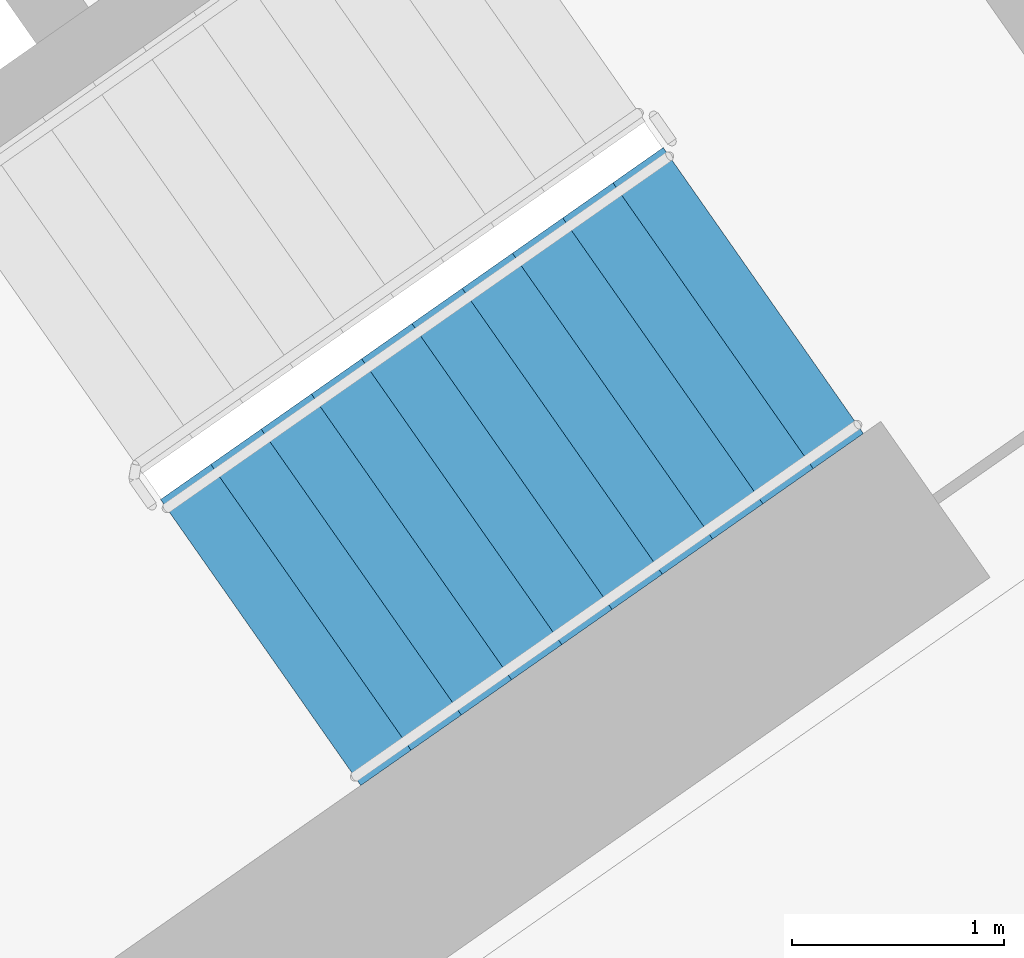
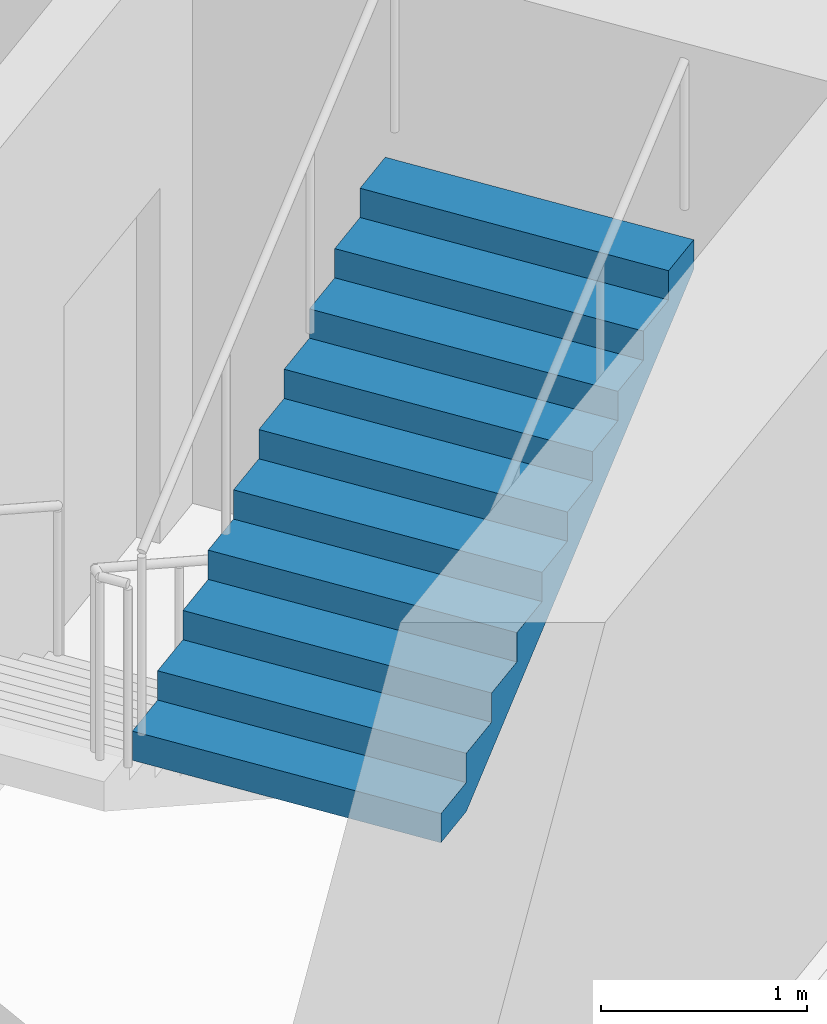
# One storey, part 16 of 30: 1 stair flight, 1 element without a shape of its own.
"""IFC4 building model written with IfcOpenShell, lengths in metres."""

from ifc_helpers import new_model, si_unit, direction, frame, origin, place, context, subcontext, project, spatial, faceted_brep, material, type_object, element, aggregate, save


model = new_model("IFC4")

# Units and contexts
model_context = context("Model", 3, precision=1e-05, world=origin(), true_north=direction((0.0, 1.0)))
body_context = subcontext(model_context, "Body", "Model", "MODEL_VIEW")
ifc_project = project(units=[si_unit("LENGTHUNIT", "METRE"), si_unit("AREAUNIT", "SQUARE_METRE"), si_unit("VOLUMEUNIT", "CUBIC_METRE"), si_unit("PLANEANGLEUNIT", "RADIAN"), si_unit("MASSUNIT", "GRAM", prefix="KILO")], contexts=[model_context])

# Site, building, storey
site_placement = place(None, origin())
site = spatial("IfcSite", under=ifc_project, at=site_placement, CompositionType="ELEMENT")
building_placement = place(site_placement, origin())
building = spatial("IfcBuilding", under=site, at=building_placement, Name="Qamariyya Broadcast Tower", CompositionType="ELEMENT")
storey_placement = place(building_placement, frame((0.0, 0.0, 110.10009765625)))
storey = spatial("IfcBuildingStorey", under=building, at=storey_placement, Name="L24", CompositionType="ELEMENT", Elevation=110.10009765625)

# Stair, stair flight
ifc_material = material(Name="Concrete C50/60", Category="concrete")
stair_type = type_object("IfcStairType", Name="Exit stair 22 risers of 173 mm", PredefinedType="HALF_TURN_STAIR", material=ifc_material)
stair_placement = place(storey_placement, origin())
stair = element("IfcStair", 1, at=stair_placement, inside=storey, type_object=stair_type, Name="L24 Stair E1", PredefinedType="HALF_TURN_STAIR")
stair_flight_type = type_object("IfcStairFlightType", Name="Exit stair flight 11 risers of 173 mm", PredefinedType="STRAIGHT", material=ifc_material)
stair_flight_placement = place(storey_placement, frame((44.693359375, -58.64599609375, 1.89990234375), z_axis=(0.0, 0.0, 1.0), x_axis=(0.819152044289, 0.573576436351, 0.0)))
stair_flight = element("IfcStairFlight", 2, at=stair_flight_placement, type_object=stair_flight_type, Name="ST-E1 flight 2", NumberOfRisers=11, NumberOfTreads=10, PredefinedType="STRAIGHT", RiserHeight=0.172727273, TreadLength=0.29, context=body_context, shape_type="Brep", body=[
    faceted_brep([(0.0, 0.824951171875, 0.0), (0.0, 0.824951171875, 0.172607421875), (0.2900390625, 0.824951171875, 0.172607421875), (0.2900390625, 0.824951171875, 0.345458984375), (0.580078125, 0.824951171875, 0.345458984375), (0.580078125, 0.824951171875, 0.51806640625), (0.8701171875, 0.824951171875, 0.51806640625), (0.8701171875, 0.824951171875, 0.69091796875), (1.159912109375, 0.824951171875, 0.69091796875), (1.159912109375, 0.824951171875, 0.863525390625), (1.449951171875, 0.824951171875, 0.863525390625), (1.449951171875, 0.824951171875, 1.036376953125), (1.739990234375, 0.824951171875, 1.036376953125), (1.739990234375, 0.824951171875, 1.208984375), (2.030029296875, 0.824951171875, 1.208984375), (2.030029296875, 0.824951171875, 1.3818359375), (2.320068359375, 0.824951171875, 1.3818359375), (2.320068359375, 0.824951171875, 1.554443359375), (2.610107421875, 0.824951171875, 1.554443359375), (2.610107421875, 0.824951171875, 1.727294921875), (2.89990234375, 0.824951171875, 1.727294921875), (2.89990234375, 0.824951171875, 1.552734375), (0.29296875, 0.824951171875, 0.0), (0.29296875, -0.824951171875, 0.0), (2.89990234375, -0.824951171875, 1.552734375), (2.89990234375, -0.824951171875, 1.727294921875), (2.610107421875, -0.824951171875, 1.727294921875), (2.610107421875, -0.824951171875, 1.554443359375), (2.320068359375, -0.824951171875, 1.554443359375), (2.320068359375, -0.824951171875, 1.3818359375), (2.030029296875, -0.824951171875, 1.3818359375), (2.030029296875, -0.824951171875, 1.208984375), (1.739990234375, -0.824951171875, 1.208984375), (1.739990234375, -0.824951171875, 1.036376953125), (1.449951171875, -0.824951171875, 1.036376953125), (1.449951171875, -0.824951171875, 0.863525390625), (1.159912109375, -0.824951171875, 0.863525390625), (1.159912109375, -0.824951171875, 0.69091796875), (0.8701171875, -0.824951171875, 0.69091796875), (0.8701171875, -0.824951171875, 0.51806640625), (0.580078125, -0.824951171875, 0.51806640625), (0.580078125, -0.824951171875, 0.345458984375), (0.2900390625, -0.824951171875, 0.345458984375), (0.2900390625, -0.824951171875, 0.172607421875), (0.0, -0.824951171875, 0.172607421875), (0.0, -0.824951171875, 0.0), (0.0, 0.10009765625, 0.0), (0.0, 0.086669921875, 0.0), (0.0, 0.0732421875, 0.0), (0.0, 0.06005859375, 0.0), (0.0, 0.046630859375, 0.0), (0.0, 0.033447265625, 0.0), (0.0, 0.02001953125, 0.0), (0.0, 0.006591796875, 0.0), (0.0, -0.006591796875, 0.0), (0.0, -0.02001953125, 0.0), (0.0, -0.033447265625, 0.0), (0.0, -0.046630859375, 0.0), (0.0, -0.06005859375, 0.0), (0.0, -0.0732421875, 0.0), (0.0, -0.086669921875, 0.0), (0.0, -0.10009765625, 0.0), (0.0, -0.10009765625, 0.172607421875), (0.0, -0.086669921875, 0.172607421875), (0.0, -0.0732421875, 0.172607421875), (0.0, -0.06005859375, 0.172607421875), (0.0, -0.046630859375, 0.172607421875), (0.0, -0.033447265625, 0.172607421875), (0.0, -0.02001953125, 0.172607421875), (0.0, -0.006591796875, 0.172607421875), (0.0, 0.006591796875, 0.172607421875), (0.0, 0.02001953125, 0.172607421875), (0.0, 0.033447265625, 0.172607421875), (0.0, 0.046630859375, 0.172607421875), (0.0, 0.06005859375, 0.172607421875), (0.0, 0.0732421875, 0.172607421875), (0.0, 0.086669921875, 0.172607421875), (0.0, 0.10009765625, 0.172607421875), (0.2900390625, -0.10009765625, 0.172607421875), (0.2900390625, -0.086669921875, 0.172607421875), (0.2900390625, -0.0732421875, 0.172607421875), (0.2900390625, -0.06005859375, 0.172607421875), (0.2900390625, -0.046630859375, 0.172607421875), (0.2900390625, -0.033447265625, 0.172607421875), (0.2900390625, -0.02001953125, 0.172607421875), (0.2900390625, -0.006591796875, 0.172607421875), (0.2900390625, 0.006591796875, 0.172607421875), (0.2900390625, 0.02001953125, 0.172607421875), (0.2900390625, 0.033447265625, 0.172607421875), (0.2900390625, 0.046630859375, 0.172607421875), (0.2900390625, 0.06005859375, 0.172607421875), (0.2900390625, 0.0732421875, 0.172607421875), (0.2900390625, 0.086669921875, 0.172607421875), (0.2900390625, 0.10009765625, 0.172607421875), (0.2900390625, -0.10009765625, 0.345458984375), (0.2900390625, -0.086669921875, 0.345458984375), (0.2900390625, -0.0732421875, 0.345458984375), (0.2900390625, -0.06005859375, 0.345458984375), (0.2900390625, -0.046630859375, 0.345458984375), (0.2900390625, -0.033447265625, 0.345458984375), (0.2900390625, -0.02001953125, 0.345458984375), (0.2900390625, -0.006591796875, 0.345458984375), (0.2900390625, 0.006591796875, 0.345458984375), (0.2900390625, 0.02001953125, 0.345458984375), (0.2900390625, 0.033447265625, 0.345458984375), (0.2900390625, 0.046630859375, 0.345458984375), (0.2900390625, 0.06005859375, 0.345458984375), (0.2900390625, 0.0732421875, 0.345458984375), (0.2900390625, 0.086669921875, 0.345458984375), (0.2900390625, 0.10009765625, 0.345458984375), (0.580078125, -0.10009765625, 0.345458984375), (0.580078125, -0.086669921875, 0.345458984375), (0.580078125, -0.0732421875, 0.345458984375), (0.580078125, -0.06005859375, 0.345458984375), (0.580078125, -0.046630859375, 0.345458984375), (0.580078125, -0.033447265625, 0.345458984375), (0.580078125, -0.02001953125, 0.345458984375), (0.580078125, -0.006591796875, 0.345458984375), (0.580078125, 0.006591796875, 0.345458984375), (0.580078125, 0.02001953125, 0.345458984375), (0.580078125, 0.033447265625, 0.345458984375), (0.580078125, 0.046630859375, 0.345458984375), (0.580078125, 0.06005859375, 0.345458984375), (0.580078125, 0.0732421875, 0.345458984375), (0.580078125, 0.086669921875, 0.345458984375), (0.580078125, 0.10009765625, 0.345458984375), (0.580078125, -0.10009765625, 0.51806640625), (0.580078125, -0.086669921875, 0.51806640625), (0.580078125, -0.0732421875, 0.51806640625), (0.580078125, -0.06005859375, 0.51806640625), (0.580078125, -0.046630859375, 0.51806640625), (0.580078125, -0.033447265625, 0.51806640625), (0.580078125, -0.02001953125, 0.51806640625), (0.580078125, -0.006591796875, 0.51806640625), (0.580078125, 0.006591796875, 0.51806640625), (0.580078125, 0.02001953125, 0.51806640625), (0.580078125, 0.033447265625, 0.51806640625), (0.580078125, 0.046630859375, 0.51806640625), (0.580078125, 0.06005859375, 0.51806640625), (0.580078125, 0.0732421875, 0.51806640625), (0.580078125, 0.086669921875, 0.51806640625), (0.580078125, 0.10009765625, 0.51806640625), (0.8701171875, -0.10009765625, 0.51806640625), (0.8701171875, -0.086669921875, 0.51806640625), (0.8701171875, -0.0732421875, 0.51806640625), (0.8701171875, -0.06005859375, 0.51806640625), (0.8701171875, -0.046630859375, 0.51806640625), (0.8701171875, -0.033447265625, 0.51806640625), (0.8701171875, -0.02001953125, 0.51806640625), (0.8701171875, -0.006591796875, 0.51806640625), (0.8701171875, 0.006591796875, 0.51806640625), (0.8701171875, 0.02001953125, 0.51806640625), (0.8701171875, 0.033447265625, 0.51806640625), (0.8701171875, 0.046630859375, 0.51806640625), (0.8701171875, 0.06005859375, 0.51806640625), (0.8701171875, 0.0732421875, 0.51806640625), (0.8701171875, 0.086669921875, 0.51806640625), (0.8701171875, 0.10009765625, 0.51806640625), (0.8701171875, -0.10009765625, 0.69091796875), (0.8701171875, -0.086669921875, 0.69091796875), (0.8701171875, -0.0732421875, 0.69091796875), (0.8701171875, -0.06005859375, 0.69091796875), (0.8701171875, -0.046630859375, 0.69091796875), (0.8701171875, -0.033447265625, 0.69091796875), (0.8701171875, -0.02001953125, 0.69091796875), (0.8701171875, -0.006591796875, 0.69091796875), (0.8701171875, 0.006591796875, 0.69091796875), (0.8701171875, 0.02001953125, 0.69091796875), (0.8701171875, 0.033447265625, 0.69091796875), (0.8701171875, 0.046630859375, 0.69091796875), (0.8701171875, 0.06005859375, 0.69091796875), (0.8701171875, 0.0732421875, 0.69091796875), (0.8701171875, 0.086669921875, 0.69091796875), (0.8701171875, 0.10009765625, 0.69091796875), (1.159912109375, -0.10009765625, 0.69091796875), (1.159912109375, -0.086669921875, 0.69091796875), (1.159912109375, -0.0732421875, 0.69091796875), (1.159912109375, -0.06005859375, 0.69091796875), (1.159912109375, -0.046630859375, 0.69091796875), (1.159912109375, -0.033447265625, 0.69091796875), (1.159912109375, -0.02001953125, 0.69091796875), (1.159912109375, -0.006591796875, 0.69091796875), (1.159912109375, 0.006591796875, 0.69091796875), (1.159912109375, 0.02001953125, 0.69091796875), (1.159912109375, 0.033447265625, 0.69091796875), (1.159912109375, 0.046630859375, 0.69091796875), (1.159912109375, 0.06005859375, 0.69091796875), (1.159912109375, 0.0732421875, 0.69091796875), (1.159912109375, 0.086669921875, 0.69091796875), (1.159912109375, 0.10009765625, 0.69091796875), (1.159912109375, -0.10009765625, 0.863525390625), (1.159912109375, -0.086669921875, 0.863525390625), (1.159912109375, -0.0732421875, 0.863525390625), (1.159912109375, -0.06005859375, 0.863525390625), (1.159912109375, -0.046630859375, 0.863525390625), (1.159912109375, -0.033447265625, 0.863525390625), (1.159912109375, -0.02001953125, 0.863525390625), (1.159912109375, -0.006591796875, 0.863525390625), (1.159912109375, 0.006591796875, 0.863525390625), (1.159912109375, 0.02001953125, 0.863525390625), (1.159912109375, 0.033447265625, 0.863525390625), (1.159912109375, 0.046630859375, 0.863525390625), (1.159912109375, 0.06005859375, 0.863525390625), (1.159912109375, 0.0732421875, 0.863525390625), (1.159912109375, 0.086669921875, 0.863525390625), (1.159912109375, 0.10009765625, 0.863525390625), (1.449951171875, -0.10009765625, 0.863525390625), (1.449951171875, -0.086669921875, 0.863525390625), (1.449951171875, -0.0732421875, 0.863525390625), (1.449951171875, -0.06005859375, 0.863525390625), (1.449951171875, -0.046630859375, 0.863525390625), (1.449951171875, -0.033447265625, 0.863525390625), (1.449951171875, -0.02001953125, 0.863525390625), (1.449951171875, -0.006591796875, 0.863525390625), (1.449951171875, 0.006591796875, 0.863525390625), (1.449951171875, 0.02001953125, 0.863525390625), (1.449951171875, 0.033447265625, 0.863525390625), (1.449951171875, 0.046630859375, 0.863525390625), (1.449951171875, 0.06005859375, 0.863525390625), (1.449951171875, 0.0732421875, 0.863525390625), (1.449951171875, 0.086669921875, 0.863525390625), (1.449951171875, 0.10009765625, 0.863525390625), (1.449951171875, -0.10009765625, 1.036376953125), (1.449951171875, -0.086669921875, 1.036376953125), (1.449951171875, -0.0732421875, 1.036376953125), (1.449951171875, -0.06005859375, 1.036376953125), (1.449951171875, -0.046630859375, 1.036376953125), (1.449951171875, -0.033447265625, 1.036376953125), (1.449951171875, -0.02001953125, 1.036376953125), (1.449951171875, -0.006591796875, 1.036376953125), (1.449951171875, 0.006591796875, 1.036376953125), (1.449951171875, 0.02001953125, 1.036376953125), (1.449951171875, 0.033447265625, 1.036376953125), (1.449951171875, 0.046630859375, 1.036376953125), (1.449951171875, 0.06005859375, 1.036376953125), (1.449951171875, 0.0732421875, 1.036376953125), (1.449951171875, 0.086669921875, 1.036376953125), (1.449951171875, 0.10009765625, 1.036376953125), (1.739990234375, -0.10009765625, 1.036376953125), (1.739990234375, -0.086669921875, 1.036376953125), (1.739990234375, -0.0732421875, 1.036376953125), (1.739990234375, -0.06005859375, 1.036376953125), (1.739990234375, -0.046630859375, 1.036376953125), (1.739990234375, -0.033447265625, 1.036376953125), (1.739990234375, -0.02001953125, 1.036376953125), (1.739990234375, -0.006591796875, 1.036376953125), (1.739990234375, 0.006591796875, 1.036376953125), (1.739990234375, 0.02001953125, 1.036376953125), (1.739990234375, 0.033447265625, 1.036376953125), (1.739990234375, 0.046630859375, 1.036376953125), (1.739990234375, 0.06005859375, 1.036376953125), (1.739990234375, 0.0732421875, 1.036376953125), (1.739990234375, 0.086669921875, 1.036376953125), (1.739990234375, 0.10009765625, 1.036376953125), (1.739990234375, -0.10009765625, 1.208984375), (1.739990234375, -0.086669921875, 1.208984375), (1.739990234375, -0.0732421875, 1.208984375), (1.739990234375, -0.06005859375, 1.208984375), (1.739990234375, -0.046630859375, 1.208984375), (1.739990234375, -0.033447265625, 1.208984375), (1.739990234375, -0.02001953125, 1.208984375), (1.739990234375, -0.006591796875, 1.208984375), (1.739990234375, 0.006591796875, 1.208984375), (1.739990234375, 0.02001953125, 1.208984375), (1.739990234375, 0.033447265625, 1.208984375), (1.739990234375, 0.046630859375, 1.208984375), (1.739990234375, 0.06005859375, 1.208984375), (1.739990234375, 0.0732421875, 1.208984375), (1.739990234375, 0.086669921875, 1.208984375), (1.739990234375, 0.10009765625, 1.208984375), (2.030029296875, -0.10009765625, 1.208984375), (2.030029296875, -0.086669921875, 1.208984375), (2.030029296875, -0.0732421875, 1.208984375), (2.030029296875, -0.06005859375, 1.208984375), (2.030029296875, -0.046630859375, 1.208984375), (2.030029296875, -0.033447265625, 1.208984375), (2.030029296875, -0.02001953125, 1.208984375), (2.030029296875, -0.006591796875, 1.208984375), (2.030029296875, 0.006591796875, 1.208984375), (2.030029296875, 0.02001953125, 1.208984375), (2.030029296875, 0.033447265625, 1.208984375), (2.030029296875, 0.046630859375, 1.208984375), (2.030029296875, 0.06005859375, 1.208984375), (2.030029296875, 0.0732421875, 1.208984375), (2.030029296875, 0.086669921875, 1.208984375), (2.030029296875, 0.10009765625, 1.208984375), (2.030029296875, -0.10009765625, 1.3818359375), (2.030029296875, -0.086669921875, 1.3818359375), (2.030029296875, -0.0732421875, 1.3818359375), (2.030029296875, -0.06005859375, 1.3818359375), (2.030029296875, -0.046630859375, 1.3818359375), (2.030029296875, -0.033447265625, 1.3818359375), (2.030029296875, -0.02001953125, 1.3818359375), (2.030029296875, -0.006591796875, 1.3818359375), (2.030029296875, 0.006591796875, 1.3818359375), (2.030029296875, 0.02001953125, 1.3818359375), (2.030029296875, 0.033447265625, 1.3818359375), (2.030029296875, 0.046630859375, 1.3818359375), (2.030029296875, 0.06005859375, 1.3818359375), (2.030029296875, 0.0732421875, 1.3818359375), (2.030029296875, 0.086669921875, 1.3818359375), (2.030029296875, 0.10009765625, 1.3818359375), (2.320068359375, -0.10009765625, 1.3818359375), (2.320068359375, -0.086669921875, 1.3818359375), (2.320068359375, -0.0732421875, 1.3818359375), (2.320068359375, -0.06005859375, 1.3818359375), (2.320068359375, -0.046630859375, 1.3818359375), (2.320068359375, -0.033447265625, 1.3818359375), (2.320068359375, -0.02001953125, 1.3818359375), (2.320068359375, -0.006591796875, 1.3818359375), (2.320068359375, 0.006591796875, 1.3818359375), (2.320068359375, 0.02001953125, 1.3818359375), (2.320068359375, 0.033447265625, 1.3818359375), (2.320068359375, 0.046630859375, 1.3818359375), (2.320068359375, 0.06005859375, 1.3818359375), (2.320068359375, 0.0732421875, 1.3818359375), (2.320068359375, 0.086669921875, 1.3818359375), (2.320068359375, 0.10009765625, 1.3818359375), (2.320068359375, -0.10009765625, 1.554443359375), (2.320068359375, -0.086669921875, 1.554443359375), (2.320068359375, -0.0732421875, 1.554443359375), (2.320068359375, -0.06005859375, 1.554443359375), (2.320068359375, -0.046630859375, 1.554443359375), (2.320068359375, -0.033447265625, 1.554443359375), (2.320068359375, -0.02001953125, 1.554443359375), (2.320068359375, -0.006591796875, 1.554443359375), (2.320068359375, 0.006591796875, 1.554443359375), (2.320068359375, 0.02001953125, 1.554443359375), (2.320068359375, 0.033447265625, 1.554443359375), (2.320068359375, 0.046630859375, 1.554443359375), (2.320068359375, 0.06005859375, 1.554443359375), (2.320068359375, 0.0732421875, 1.554443359375), (2.320068359375, 0.086669921875, 1.554443359375), (2.320068359375, 0.10009765625, 1.554443359375), (2.610107421875, -0.10009765625, 1.554443359375), (2.610107421875, -0.086669921875, 1.554443359375), (2.610107421875, -0.0732421875, 1.554443359375), (2.610107421875, -0.06005859375, 1.554443359375), (2.610107421875, -0.046630859375, 1.554443359375), (2.610107421875, -0.033447265625, 1.554443359375), (2.610107421875, -0.02001953125, 1.554443359375), (2.610107421875, -0.006591796875, 1.554443359375), (2.610107421875, 0.006591796875, 1.554443359375), (2.610107421875, 0.02001953125, 1.554443359375), (2.610107421875, 0.033447265625, 1.554443359375), (2.610107421875, 0.046630859375, 1.554443359375), (2.610107421875, 0.06005859375, 1.554443359375), (2.610107421875, 0.0732421875, 1.554443359375), (2.610107421875, 0.086669921875, 1.554443359375), (2.610107421875, 0.10009765625, 1.554443359375), (2.610107421875, -0.10009765625, 1.727294921875), (2.610107421875, -0.086669921875, 1.727294921875), (2.610107421875, -0.0732421875, 1.727294921875), (2.610107421875, -0.06005859375, 1.727294921875), (2.610107421875, -0.046630859375, 1.727294921875), (2.610107421875, -0.033447265625, 1.727294921875), (2.610107421875, -0.02001953125, 1.727294921875), (2.610107421875, -0.006591796875, 1.727294921875), (2.610107421875, 0.006591796875, 1.727294921875), (2.610107421875, 0.02001953125, 1.727294921875), (2.610107421875, 0.033447265625, 1.727294921875), (2.610107421875, 0.046630859375, 1.727294921875), (2.610107421875, 0.06005859375, 1.727294921875), (2.610107421875, 0.0732421875, 1.727294921875), (2.610107421875, 0.086669921875, 1.727294921875), (2.610107421875, 0.10009765625, 1.727294921875), (2.89990234375, -0.10009765625, 1.727294921875), (2.89990234375, -0.086669921875, 1.727294921875), (2.89990234375, -0.0732421875, 1.727294921875), (2.89990234375, -0.06005859375, 1.727294921875), (2.89990234375, -0.046630859375, 1.727294921875), (2.89990234375, -0.033447265625, 1.727294921875), (2.89990234375, -0.02001953125, 1.727294921875), (2.89990234375, -0.006591796875, 1.727294921875), (2.89990234375, 0.006591796875, 1.727294921875), (2.89990234375, 0.02001953125, 1.727294921875), (2.89990234375, 0.033447265625, 1.727294921875), (2.89990234375, 0.046630859375, 1.727294921875), (2.89990234375, 0.06005859375, 1.727294921875), (2.89990234375, 0.0732421875, 1.727294921875), (2.89990234375, 0.086669921875, 1.727294921875), (2.89990234375, 0.10009765625, 1.727294921875), (2.89990234375, -0.10009765625, 1.552734375), (2.89990234375, -0.086669921875, 1.552734375), (2.89990234375, -0.0732421875, 1.552734375), (2.89990234375, -0.06005859375, 1.552734375), (2.89990234375, -0.046630859375, 1.552734375), (2.89990234375, -0.033447265625, 1.552734375), (2.89990234375, -0.02001953125, 1.552734375), (2.89990234375, -0.006591796875, 1.552734375), (2.89990234375, 0.006591796875, 1.552734375), (2.89990234375, 0.02001953125, 1.552734375), (2.89990234375, 0.033447265625, 1.552734375), (2.89990234375, 0.046630859375, 1.552734375), (2.89990234375, 0.06005859375, 1.552734375), (2.89990234375, 0.0732421875, 1.552734375), (2.89990234375, 0.086669921875, 1.552734375), (2.89990234375, 0.10009765625, 1.552734375), (0.29296875, -0.10009765625, 0.0), (0.29296875, -0.086669921875, 0.0), (0.29296875, -0.0732421875, 0.0), (0.29296875, -0.06005859375, 0.0), (0.29296875, -0.046630859375, 0.0), (0.29296875, -0.033447265625, 0.0), (0.29296875, -0.02001953125, 0.0), (0.29296875, -0.006591796875, 0.0), (0.29296875, 0.006591796875, 0.0), (0.29296875, 0.02001953125, 0.0), (0.29296875, 0.033447265625, 0.0), (0.29296875, 0.046630859375, 0.0), (0.29296875, 0.06005859375, 0.0), (0.29296875, 0.0732421875, 0.0), (0.29296875, 0.086669921875, 0.0), (0.29296875, 0.10009765625, 0.0)], [[[0, 1, 2, 3, 4, 5, 6, 7, 8, 9, 10, 11, 12, 13, 14, 15, 16, 17, 18, 19, 20, 21, 22]], [[23, 24, 25, 26, 27, 28, 29, 30, 31, 32, 33, 34, 35, 36, 37, 38, 39, 40, 41, 42, 43, 44, 45]], [[0, 46, 47, 48, 49, 50, 51, 52, 53, 54, 55, 56, 57, 58, 59, 60, 61, 45, 44, 62, 63, 64, 65, 66, 67, 68, 69, 70, 71, 72, 73, 74, 75, 76, 77, 1]], [[1, 77, 76, 75, 74, 73, 72, 71, 70, 69, 68, 67, 66, 65, 64, 63, 62, 44, 43, 78, 79, 80, 81, 82, 83, 84, 85, 86, 87, 88, 89, 90, 91, 92, 93, 2]], [[2, 93, 92, 91, 90, 89, 88, 87, 86, 85, 84, 83, 82, 81, 80, 79, 78, 43, 42, 94, 95, 96, 97, 98, 99, 100, 101, 102, 103, 104, 105, 106, 107, 108, 109, 3]], [[3, 109, 108, 107, 106, 105, 104, 103, 102, 101, 100, 99, 98, 97, 96, 95, 94, 42, 41, 110, 111, 112, 113, 114, 115, 116, 117, 118, 119, 120, 121, 122, 123, 124, 125, 4]], [[4, 125, 124, 123, 122, 121, 120, 119, 118, 117, 116, 115, 114, 113, 112, 111, 110, 41, 40, 126, 127, 128, 129, 130, 131, 132, 133, 134, 135, 136, 137, 138, 139, 140, 141, 5]], [[5, 141, 140, 139, 138, 137, 136, 135, 134, 133, 132, 131, 130, 129, 128, 127, 126, 40, 39, 142, 143, 144, 145, 146, 147, 148, 149, 150, 151, 152, 153, 154, 155, 156, 157, 6]], [[6, 157, 156, 155, 154, 153, 152, 151, 150, 149, 148, 147, 146, 145, 144, 143, 142, 39, 38, 158, 159, 160, 161, 162, 163, 164, 165, 166, 167, 168, 169, 170, 171, 172, 173, 7]], [[7, 173, 172, 171, 170, 169, 168, 167, 166, 165, 164, 163, 162, 161, 160, 159, 158, 38, 37, 174, 175, 176, 177, 178, 179, 180, 181, 182, 183, 184, 185, 186, 187, 188, 189, 8]], [[8, 189, 188, 187, 186, 185, 184, 183, 182, 181, 180, 179, 178, 177, 176, 175, 174, 37, 36, 190, 191, 192, 193, 194, 195, 196, 197, 198, 199, 200, 201, 202, 203, 204, 205, 9]], [[9, 205, 204, 203, 202, 201, 200, 199, 198, 197, 196, 195, 194, 193, 192, 191, 190, 36, 35, 206, 207, 208, 209, 210, 211, 212, 213, 214, 215, 216, 217, 218, 219, 220, 221, 10]], [[10, 221, 220, 219, 218, 217, 216, 215, 214, 213, 212, 211, 210, 209, 208, 207, 206, 35, 34, 222, 223, 224, 225, 226, 227, 228, 229, 230, 231, 232, 233, 234, 235, 236, 237, 11]], [[11, 237, 236, 235, 234, 233, 232, 231, 230, 229, 228, 227, 226, 225, 224, 223, 222, 34, 33, 238, 239, 240, 241, 242, 243, 244, 245, 246, 247, 248, 249, 250, 251, 252, 253, 12]], [[12, 253, 252, 251, 250, 249, 248, 247, 246, 245, 244, 243, 242, 241, 240, 239, 238, 33, 32, 254, 255, 256, 257, 258, 259, 260, 261, 262, 263, 264, 265, 266, 267, 268, 269, 13]], [[13, 269, 268, 267, 266, 265, 264, 263, 262, 261, 260, 259, 258, 257, 256, 255, 254, 32, 31, 270, 271, 272, 273, 274, 275, 276, 277, 278, 279, 280, 281, 282, 283, 284, 285, 14]], [[14, 285, 284, 283, 282, 281, 280, 279, 278, 277, 276, 275, 274, 273, 272, 271, 270, 31, 30, 286, 287, 288, 289, 290, 291, 292, 293, 294, 295, 296, 297, 298, 299, 300, 301, 15]], [[15, 301, 300, 299, 298, 297, 296, 295, 294, 293, 292, 291, 290, 289, 288, 287, 286, 30, 29, 302, 303, 304, 305, 306, 307, 308, 309, 310, 311, 312, 313, 314, 315, 316, 317, 16]], [[16, 317, 316, 315, 314, 313, 312, 311, 310, 309, 308, 307, 306, 305, 304, 303, 302, 29, 28, 318, 319, 320, 321, 322, 323, 324, 325, 326, 327, 328, 329, 330, 331, 332, 333, 17]], [[17, 333, 332, 331, 330, 329, 328, 327, 326, 325, 324, 323, 322, 321, 320, 319, 318, 28, 27, 334, 335, 336, 337, 338, 339, 340, 341, 342, 343, 344, 345, 346, 347, 348, 349, 18]], [[18, 349, 348, 347, 346, 345, 344, 343, 342, 341, 340, 339, 338, 337, 336, 335, 334, 27, 26, 350, 351, 352, 353, 354, 355, 356, 357, 358, 359, 360, 361, 362, 363, 364, 365, 19]], [[19, 365, 364, 363, 362, 361, 360, 359, 358, 357, 356, 355, 354, 353, 352, 351, 350, 26, 25, 366, 367, 368, 369, 370, 371, 372, 373, 374, 375, 376, 377, 378, 379, 380, 381, 20]], [[20, 381, 380, 379, 378, 377, 376, 375, 374, 373, 372, 371, 370, 369, 368, 367, 366, 25, 24, 382, 383, 384, 385, 386, 387, 388, 389, 390, 391, 392, 393, 394, 395, 396, 397, 21]], [[21, 397, 396, 395, 394, 393, 392, 391, 390, 389, 388, 387, 386, 385, 384, 383, 382, 24, 23, 398, 399, 400, 401, 402, 403, 404, 405, 406, 407, 408, 409, 410, 411, 412, 413, 22]], [[22, 413, 412, 411, 410, 409, 408, 407, 406, 405, 404, 403, 402, 401, 400, 399, 398, 23, 45, 61, 60, 59, 58, 57, 56, 55, 54, 53, 52, 51, 50, 49, 48, 47, 46, 0]]]),
])
aggregate(stair, [stair_flight])

save(model, "model.ifc")
